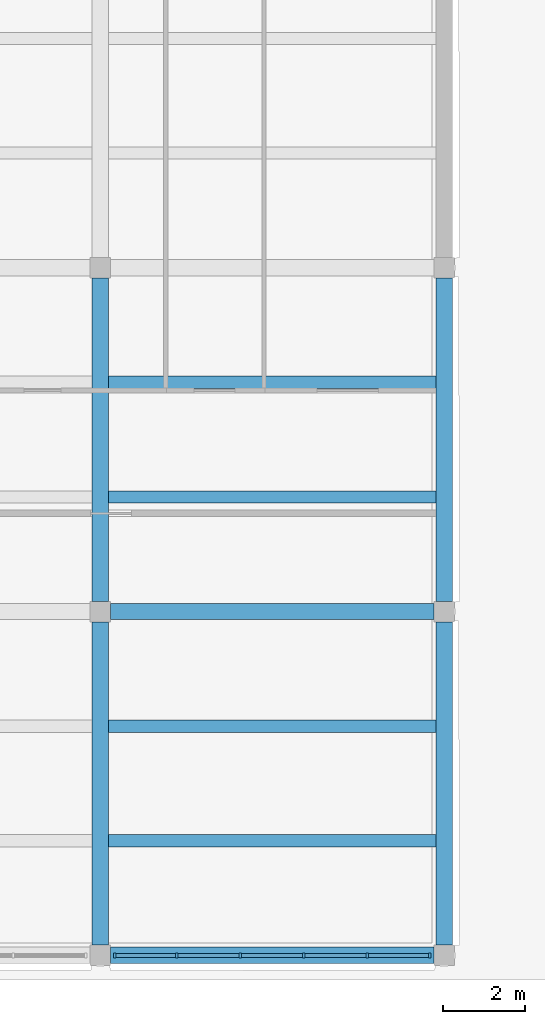
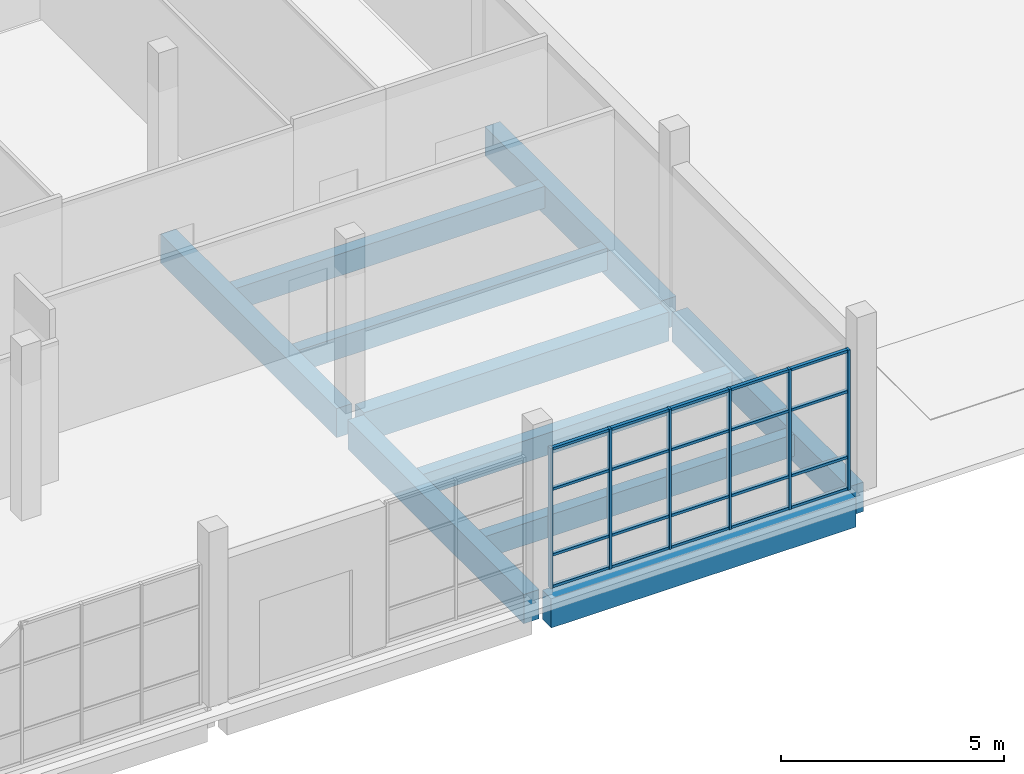
# One storey, part 10 of 110: 26 members, 10 beams, 1 element without a shape of its own.
"""IFC4 building model written with IfcOpenShell, lengths in metres."""

from ifc_helpers import new_model, si_unit, direction, frame, origin, origin_2d, place, context, subcontext, project, spatial, rectangle, extrude, material, layer, layer_set, material_profile, profile_set, type_object, element, aggregate, save


model = new_model("IFC4")

# Units and contexts
model_context = context("Model", 3, precision=1e-05, world=origin(), true_north=direction((0.0, 1.0)))
body_context = subcontext(model_context, "Body", "Model", "MODEL_VIEW")
ifc_project = project(units=[si_unit("LENGTHUNIT", "METRE"), si_unit("AREAUNIT", "SQUARE_METRE"), si_unit("VOLUMEUNIT", "CUBIC_METRE"), si_unit("PLANEANGLEUNIT", "RADIAN"), si_unit("MASSUNIT", "GRAM", prefix="KILO")], contexts=[model_context])

# Site, building, storey
site_placement = place(None, origin())
site = spatial("IfcSite", under=ifc_project, at=site_placement, CompositionType="ELEMENT")
building_placement = place(site_placement, origin())
building = spatial("IfcBuilding", under=site, at=building_placement, Name="Larchfold Concert Hall", CompositionType="ELEMENT")
storey_placement = place(building_placement, origin())
storey = spatial("IfcBuildingStorey", under=building, at=storey_placement, Name="L00", CompositionType="ELEMENT", Elevation=0.0)

# Curtain wall, members
ifc_material_1 = material(Name="Anodised graphite aluminium curtain wall", Category="aluminium")
ifc_layer = layer(ifc_material_1, 0.1201171875)
ifc_layer_set = layer_set([ifc_layer], Name="Anodised graphite aluminium curtain wall")
curtain_wall_type = type_object("IfcCurtainWallType", Name="Curtain wall SF", PredefinedType="NOTDEFINED", material=ifc_layer_set)
curtain_wall_placement = place(storey_placement, origin())
curtain_wall = element("IfcCurtainWall", 1, at=curtain_wall_placement, inside=storey, type_object=curtain_wall_type, Name="Curtain wall CW0302", PredefinedType="NOTDEFINED")
ifc_material_2 = material(Name="Anodised graphite aluminium mullion", Category="aluminium")
ifc_material_profile_1 = material_profile(ifc_material_2, rectangle(XDim=0.1201171875, YDim=0.06005859375, at=origin_2d()))
ifc_profile_set_1 = profile_set([ifc_material_profile_1], Name="Anodised graphite aluminium mullion")
member_type_1 = type_object("IfcMemberType", Name="Aluminium mullion 60x120", PredefinedType="MULLION", material=ifc_profile_set_1)
member_1_placement = place(storey_placement, frame((51.35009765625, 0.60009765625, 0.0), z_axis=(0.0, 0.0, 1.0), x_axis=(0.0, 1.0, 0.0)))
member_1 = element("IfcMember", 2, at=member_1_placement, type_object=member_type_1, Name="CW0302 mullion 1", PredefinedType="MULLION", context=body_context, shape_type="SweptSolid", body=[
    extrude(rectangle(XDim=0.1201171875, YDim=0.06005859375, at=origin_2d()), origin(), (0.0, 0.0, 1.0), 3.840087890625),
])
member_2_placement = place(storey_placement, frame((52.8720703125, 0.60009765625, 0.0), z_axis=(0.0, 0.0, 1.0), x_axis=(0.0, 1.0, 0.0)))
member_2 = element("IfcMember", 3, at=member_2_placement, type_object=member_type_1, Name="CW0302 mullion 2", PredefinedType="MULLION", context=body_context, shape_type="SweptSolid", body=[
    extrude(rectangle(XDim=0.1201171875, YDim=0.06005859375, at=origin_2d()), origin(), (0.0, 0.0, 1.0), 3.840087890625),
])
member_3_placement = place(storey_placement, frame((54.424072265625, 0.60009765625, 0.0), z_axis=(0.0, 0.0, 1.0), x_axis=(0.0, 1.0, 0.0)))
member_3 = element("IfcMember", 4, at=member_3_placement, type_object=member_type_1, Name="CW0302 mullion 3", PredefinedType="MULLION", context=body_context, shape_type="SweptSolid", body=[
    extrude(rectangle(XDim=0.1201171875, YDim=0.06005859375, at=origin_2d()), origin(), (0.0, 0.0, 1.0), 3.840087890625),
])
member_4_placement = place(storey_placement, frame((55.975830078125, 0.60009765625, 0.0), z_axis=(0.0, 0.0, 1.0), x_axis=(0.0, 1.0, 0.0)))
member_4 = element("IfcMember", 5, at=member_4_placement, type_object=member_type_1, Name="CW0302 mullion 4", PredefinedType="MULLION", context=body_context, shape_type="SweptSolid", body=[
    extrude(rectangle(XDim=0.1201171875, YDim=0.06005859375, at=origin_2d()), origin(), (0.0, 0.0, 1.0), 3.840087890625),
])
member_5_placement = place(storey_placement, frame((57.52783203125, 0.60009765625, 0.0), z_axis=(0.0, 0.0, 1.0), x_axis=(0.0, 1.0, 0.0)))
member_5 = element("IfcMember", 6, at=member_5_placement, type_object=member_type_1, Name="CW0302 mullion 5", PredefinedType="MULLION", context=body_context, shape_type="SweptSolid", body=[
    extrude(rectangle(XDim=0.1201171875, YDim=0.06005859375, at=origin_2d()), origin(), (0.0, 0.0, 1.0), 3.840087890625),
])
member_6_placement = place(storey_placement, frame((59.0498046875, 0.60009765625, 0.0), z_axis=(0.0, 0.0, 1.0), x_axis=(0.0, 1.0, 0.0)))
member_6 = element("IfcMember", 7, at=member_6_placement, type_object=member_type_1, Name="CW0302 mullion 6", PredefinedType="MULLION", context=body_context, shape_type="SweptSolid", body=[
    extrude(rectangle(XDim=0.1201171875, YDim=0.06005859375, at=origin_2d()), origin(), (0.0, 0.0, 1.0), 3.840087890625),
])
ifc_material_3 = material(Name="Anodised graphite aluminium transom", Category="aluminium")
ifc_material_profile_2 = material_profile(ifc_material_3, rectangle(XDim=0.090087890625, YDim=0.070068359375, at=origin_2d()))
ifc_profile_set_2 = profile_set([ifc_material_profile_2], Name="Anodised graphite aluminium transom")
member_type_2 = type_object("IfcMemberType", Name="Aluminium transom 70x90", PredefinedType="USERDEFINED", material=ifc_profile_set_2)
member_7_placement = place(storey_placement, frame((51.380126953125, 0.60009765625, 0.034912109375), z_axis=(1.0, 0.0, 0.0), x_axis=(0.0, 1.0, 0.0)))
member_7 = element("IfcMember", 8, at=member_7_placement, type_object=member_type_2, Name="CW0302 transom 1.1", ObjectType="TRANSOM", PredefinedType="USERDEFINED", context=body_context, shape_type="SweptSolid", body=[
    extrude(rectangle(XDim=0.090087890625, YDim=0.070068359375, at=origin_2d()), origin(), (0.0, 0.0, 1.0), 1.4619140625),
])
member_8_placement = place(storey_placement, frame((51.380126953125, 0.60009765625, 0.89990234375), z_axis=(1.0, 0.0, 0.0), x_axis=(0.0, 1.0, 0.0)))
member_8 = element("IfcMember", 9, at=member_8_placement, type_object=member_type_2, Name="CW0302 transom 1.2", ObjectType="TRANSOM", PredefinedType="USERDEFINED", context=body_context, shape_type="SweptSolid", body=[
    extrude(rectangle(XDim=0.090087890625, YDim=0.070068359375, at=origin_2d()), origin(), (0.0, 0.0, 1.0), 1.4619140625),
])
member_9_placement = place(storey_placement, frame((51.380126953125, 0.60009765625, 2.699951171875), z_axis=(1.0, 0.0, 0.0), x_axis=(0.0, 1.0, 0.0)))
member_9 = element("IfcMember", 10, at=member_9_placement, type_object=member_type_2, Name="CW0302 transom 1.3", ObjectType="TRANSOM", PredefinedType="USERDEFINED", context=body_context, shape_type="SweptSolid", body=[
    extrude(rectangle(XDim=0.090087890625, YDim=0.070068359375, at=origin_2d()), origin(), (0.0, 0.0, 1.0), 1.4619140625),
])
member_10_placement = place(storey_placement, frame((51.380126953125, 0.60009765625, 3.80517578125), z_axis=(1.0, 0.0, 0.0), x_axis=(0.0, 1.0, 0.0)))
member_10 = element("IfcMember", 11, at=member_10_placement, type_object=member_type_2, Name="CW0302 transom 1.4", ObjectType="TRANSOM", PredefinedType="USERDEFINED", context=body_context, shape_type="SweptSolid", body=[
    extrude(rectangle(XDim=0.090087890625, YDim=0.070068359375, at=origin_2d()), origin(), (0.0, 0.0, 1.0), 1.4619140625),
])
member_11_placement = place(storey_placement, frame((52.902099609375, 0.60009765625, 0.034912109375), z_axis=(1.0, 0.0, 0.0), x_axis=(0.0, 1.0, 0.0)))
member_11 = element("IfcMember", 12, at=member_11_placement, type_object=member_type_2, Name="CW0302 transom 2.1", ObjectType="TRANSOM", PredefinedType="USERDEFINED", context=body_context, shape_type="SweptSolid", body=[
    extrude(rectangle(XDim=0.090087890625, YDim=0.070068359375, at=origin_2d()), origin(), (0.0, 0.0, 1.0), 1.491943359375),
])
member_12_placement = place(storey_placement, frame((52.902099609375, 0.60009765625, 0.89990234375), z_axis=(1.0, 0.0, 0.0), x_axis=(0.0, 1.0, 0.0)))
member_12 = element("IfcMember", 13, at=member_12_placement, type_object=member_type_2, Name="CW0302 transom 2.2", ObjectType="TRANSOM", PredefinedType="USERDEFINED", context=body_context, shape_type="SweptSolid", body=[
    extrude(rectangle(XDim=0.090087890625, YDim=0.070068359375, at=origin_2d()), origin(), (0.0, 0.0, 1.0), 1.491943359375),
])
member_13_placement = place(storey_placement, frame((52.902099609375, 0.60009765625, 2.699951171875), z_axis=(1.0, 0.0, 0.0), x_axis=(0.0, 1.0, 0.0)))
member_13 = element("IfcMember", 14, at=member_13_placement, type_object=member_type_2, Name="CW0302 transom 2.3", ObjectType="TRANSOM", PredefinedType="USERDEFINED", context=body_context, shape_type="SweptSolid", body=[
    extrude(rectangle(XDim=0.090087890625, YDim=0.070068359375, at=origin_2d()), origin(), (0.0, 0.0, 1.0), 1.491943359375),
])
member_14_placement = place(storey_placement, frame((52.902099609375, 0.60009765625, 3.80517578125), z_axis=(1.0, 0.0, 0.0), x_axis=(0.0, 1.0, 0.0)))
member_14 = element("IfcMember", 15, at=member_14_placement, type_object=member_type_2, Name="CW0302 transom 2.4", ObjectType="TRANSOM", PredefinedType="USERDEFINED", context=body_context, shape_type="SweptSolid", body=[
    extrude(rectangle(XDim=0.090087890625, YDim=0.070068359375, at=origin_2d()), origin(), (0.0, 0.0, 1.0), 1.491943359375),
])
member_15_placement = place(storey_placement, frame((54.453857421875, 0.60009765625, 0.034912109375), z_axis=(1.0, 0.0, 0.0), x_axis=(0.0, 1.0, 0.0)))
member_15 = element("IfcMember", 16, at=member_15_placement, type_object=member_type_2, Name="CW0302 transom 3.1", ObjectType="TRANSOM", PredefinedType="USERDEFINED", context=body_context, shape_type="SweptSolid", body=[
    extrude(rectangle(XDim=0.090087890625, YDim=0.070068359375, at=origin_2d()), origin(), (0.0, 0.0, 1.0), 1.4921875),
])
member_16_placement = place(storey_placement, frame((54.453857421875, 0.60009765625, 0.89990234375), z_axis=(1.0, 0.0, 0.0), x_axis=(0.0, 1.0, 0.0)))
member_16 = element("IfcMember", 17, at=member_16_placement, type_object=member_type_2, Name="CW0302 transom 3.2", ObjectType="TRANSOM", PredefinedType="USERDEFINED", context=body_context, shape_type="SweptSolid", body=[
    extrude(rectangle(XDim=0.090087890625, YDim=0.070068359375, at=origin_2d()), origin(), (0.0, 0.0, 1.0), 1.4921875),
])
member_17_placement = place(storey_placement, frame((54.453857421875, 0.60009765625, 2.699951171875), z_axis=(1.0, 0.0, 0.0), x_axis=(0.0, 1.0, 0.0)))
member_17 = element("IfcMember", 18, at=member_17_placement, type_object=member_type_2, Name="CW0302 transom 3.3", ObjectType="TRANSOM", PredefinedType="USERDEFINED", context=body_context, shape_type="SweptSolid", body=[
    extrude(rectangle(XDim=0.090087890625, YDim=0.070068359375, at=origin_2d()), origin(), (0.0, 0.0, 1.0), 1.4921875),
])
member_18_placement = place(storey_placement, frame((54.453857421875, 0.60009765625, 3.80517578125), z_axis=(1.0, 0.0, 0.0), x_axis=(0.0, 1.0, 0.0)))
member_18 = element("IfcMember", 19, at=member_18_placement, type_object=member_type_2, Name="CW0302 transom 3.4", ObjectType="TRANSOM", PredefinedType="USERDEFINED", context=body_context, shape_type="SweptSolid", body=[
    extrude(rectangle(XDim=0.090087890625, YDim=0.070068359375, at=origin_2d()), origin(), (0.0, 0.0, 1.0), 1.4921875),
])
member_19_placement = place(storey_placement, frame((56.005859375, 0.60009765625, 0.034912109375), z_axis=(1.0, 0.0, 0.0), x_axis=(0.0, 1.0, 0.0)))
member_19 = element("IfcMember", 20, at=member_19_placement, type_object=member_type_2, Name="CW0302 transom 4.1", ObjectType="TRANSOM", PredefinedType="USERDEFINED", context=body_context, shape_type="SweptSolid", body=[
    extrude(rectangle(XDim=0.090087890625, YDim=0.070068359375, at=origin_2d()), origin(), (0.0, 0.0, 1.0), 1.491943359375),
])
member_20_placement = place(storey_placement, frame((56.005859375, 0.60009765625, 0.89990234375), z_axis=(1.0, 0.0, 0.0), x_axis=(0.0, 1.0, 0.0)))
member_20 = element("IfcMember", 21, at=member_20_placement, type_object=member_type_2, Name="CW0302 transom 4.2", ObjectType="TRANSOM", PredefinedType="USERDEFINED", context=body_context, shape_type="SweptSolid", body=[
    extrude(rectangle(XDim=0.090087890625, YDim=0.070068359375, at=origin_2d()), origin(), (0.0, 0.0, 1.0), 1.491943359375),
])
member_21_placement = place(storey_placement, frame((56.005859375, 0.60009765625, 2.699951171875), z_axis=(1.0, 0.0, 0.0), x_axis=(0.0, 1.0, 0.0)))
member_21 = element("IfcMember", 22, at=member_21_placement, type_object=member_type_2, Name="CW0302 transom 4.3", ObjectType="TRANSOM", PredefinedType="USERDEFINED", context=body_context, shape_type="SweptSolid", body=[
    extrude(rectangle(XDim=0.090087890625, YDim=0.070068359375, at=origin_2d()), origin(), (0.0, 0.0, 1.0), 1.491943359375),
])
member_22_placement = place(storey_placement, frame((56.005859375, 0.60009765625, 3.80517578125), z_axis=(1.0, 0.0, 0.0), x_axis=(0.0, 1.0, 0.0)))
member_22 = element("IfcMember", 23, at=member_22_placement, type_object=member_type_2, Name="CW0302 transom 4.4", ObjectType="TRANSOM", PredefinedType="USERDEFINED", context=body_context, shape_type="SweptSolid", body=[
    extrude(rectangle(XDim=0.090087890625, YDim=0.070068359375, at=origin_2d()), origin(), (0.0, 0.0, 1.0), 1.491943359375),
])
member_23_placement = place(storey_placement, frame((57.557861328125, 0.60009765625, 0.034912109375), z_axis=(1.0, 0.0, 0.0), x_axis=(0.0, 1.0, 0.0)))
member_23 = element("IfcMember", 24, at=member_23_placement, type_object=member_type_2, Name="CW0302 transom 5.1", ObjectType="TRANSOM", PredefinedType="USERDEFINED", context=body_context, shape_type="SweptSolid", body=[
    extrude(rectangle(XDim=0.090087890625, YDim=0.070068359375, at=origin_2d()), origin(), (0.0, 0.0, 1.0), 1.4619140625),
])
member_24_placement = place(storey_placement, frame((57.557861328125, 0.60009765625, 0.89990234375), z_axis=(1.0, 0.0, 0.0), x_axis=(0.0, 1.0, 0.0)))
member_24 = element("IfcMember", 25, at=member_24_placement, type_object=member_type_2, Name="CW0302 transom 5.2", ObjectType="TRANSOM", PredefinedType="USERDEFINED", context=body_context, shape_type="SweptSolid", body=[
    extrude(rectangle(XDim=0.090087890625, YDim=0.070068359375, at=origin_2d()), origin(), (0.0, 0.0, 1.0), 1.4619140625),
])
member_25_placement = place(storey_placement, frame((57.557861328125, 0.60009765625, 2.699951171875), z_axis=(1.0, 0.0, 0.0), x_axis=(0.0, 1.0, 0.0)))
member_25 = element("IfcMember", 26, at=member_25_placement, type_object=member_type_2, Name="CW0302 transom 5.3", ObjectType="TRANSOM", PredefinedType="USERDEFINED", context=body_context, shape_type="SweptSolid", body=[
    extrude(rectangle(XDim=0.090087890625, YDim=0.070068359375, at=origin_2d()), origin(), (0.0, 0.0, 1.0), 1.4619140625),
])
member_26_placement = place(storey_placement, frame((57.557861328125, 0.60009765625, 3.80517578125), z_axis=(1.0, 0.0, 0.0), x_axis=(0.0, 1.0, 0.0)))
member_26 = element("IfcMember", 27, at=member_26_placement, type_object=member_type_2, Name="CW0302 transom 5.4", ObjectType="TRANSOM", PredefinedType="USERDEFINED", context=body_context, shape_type="SweptSolid", body=[
    extrude(rectangle(XDim=0.090087890625, YDim=0.070068359375, at=origin_2d()), origin(), (0.0, 0.0, 1.0), 1.4619140625),
])
aggregate(curtain_wall, [member_1, member_2, member_3, member_4, member_5, member_6, member_7, member_8, member_9, member_10, member_11, member_12, member_13, member_14, member_15, member_16, member_17, member_18, member_19, member_20, member_21, member_22, member_23, member_24, member_25, member_26])

# Beams
ifc_material_4 = material(Name="Concrete C35/45", Category="concrete")
ifc_material_profile_3 = material_profile(ifc_material_4, rectangle(XDim=0.300048828125, YDim=0.60009765625, at=origin_2d()))
ifc_profile_set_3 = profile_set([ifc_material_profile_3], Name="Concrete C35/45")
beam_type_1 = type_object("IfcBeamType", Name="Beam RC 300x600", PredefinedType="BEAM", material=ifc_profile_set_3)
for number, where, z_axis, x_axis, name in (
    (28, (51.199951171875, 3.39990234375, -0.4599609375), (1.0, 0.0, 0.0), (0.0, 1.0, 0.0), "Beam B0057"),
    (29, (51.199951171875, 6.199951171875, -0.4599609375), (1.0, 0.0, 0.0), (0.0, 1.0, 0.0), "Beam B0064"),
    (30, (51.199951171875, 11.800048828125, -0.4599609375), (1.0, 0.0, 0.0), (0.0, 1.0, 0.0), "Beam B0073"),
    (31, (51.199951171875, 14.60009765625, -0.4599609375), (1.0, 0.0, 0.0), (0.0, 1.0, 0.0), "Beam B0082"),
):
    element("IfcBeam", number, at=place(storey_placement, frame(where, z_axis=z_axis, x_axis=x_axis)), inside=storey, type_object=beam_type_1, Name=name, PredefinedType="BEAM", context=body_context, shape_type="SweptSolid", body=[
        extrude(rectangle(XDim=0.300048828125, YDim=0.60009765625, at=origin_2d()), origin(), (0.0, 0.0, 1.0), 8.0),
    ])
ifc_material_5 = material(Name="Concrete C35/45", Category="concrete")
ifc_material_profile_4 = material_profile(ifc_material_5, rectangle(XDim=0.39990234375, YDim=0.800048828125, at=origin_2d()))
ifc_profile_set_4 = profile_set([ifc_material_profile_4], Name="Concrete C35/45")
beam_type_2 = type_object("IfcBeamType", Name="Beam RC 400x800", PredefinedType="BEAM", material=ifc_profile_set_4)
for number, where, z_axis, x_axis, name in (
    (32, (51.0, 0.85009765625, -0.56005859375), (0.0, 1.0, 0.0), (-1.0, 0.0, 0.0), "Beam B0018"),
    (33, (51.0, 9.25, -0.56005859375), (0.0, 1.0, 0.0), (-1.0, 0.0, 0.0), "Beam B0019"),
    (34, (59.39990234375, 0.85009765625, -0.56005859375), (0.0, 1.0, 0.0), (-1.0, 0.0, 0.0), "Beam B0021"),
    (35, (59.39990234375, 9.25, -0.56005859375), (0.0, 1.0, 0.0), (-1.0, 0.0, 0.0), "Beam B0022"),
    (36, (51.25, 0.60009765625, -0.56005859375), (1.0, 0.0, 0.0), (0.0, 1.0, 0.0), "Beam B0030"),
    (37, (51.25, 9.0, -0.56005859375), (1.0, 0.0, 0.0), (0.0, 1.0, 0.0), "Beam B0036"),
):
    element("IfcBeam", number, at=place(storey_placement, frame(where, z_axis=z_axis, x_axis=x_axis)), inside=storey, type_object=beam_type_2, Name=name, PredefinedType="BEAM", context=body_context, shape_type="SweptSolid", body=[
        extrude(rectangle(XDim=0.39990234375, YDim=0.800048828125, at=origin_2d()), origin(), (0.0, 0.0, 1.0), 7.89990234375),
    ])

save(model, "model.ifc")
